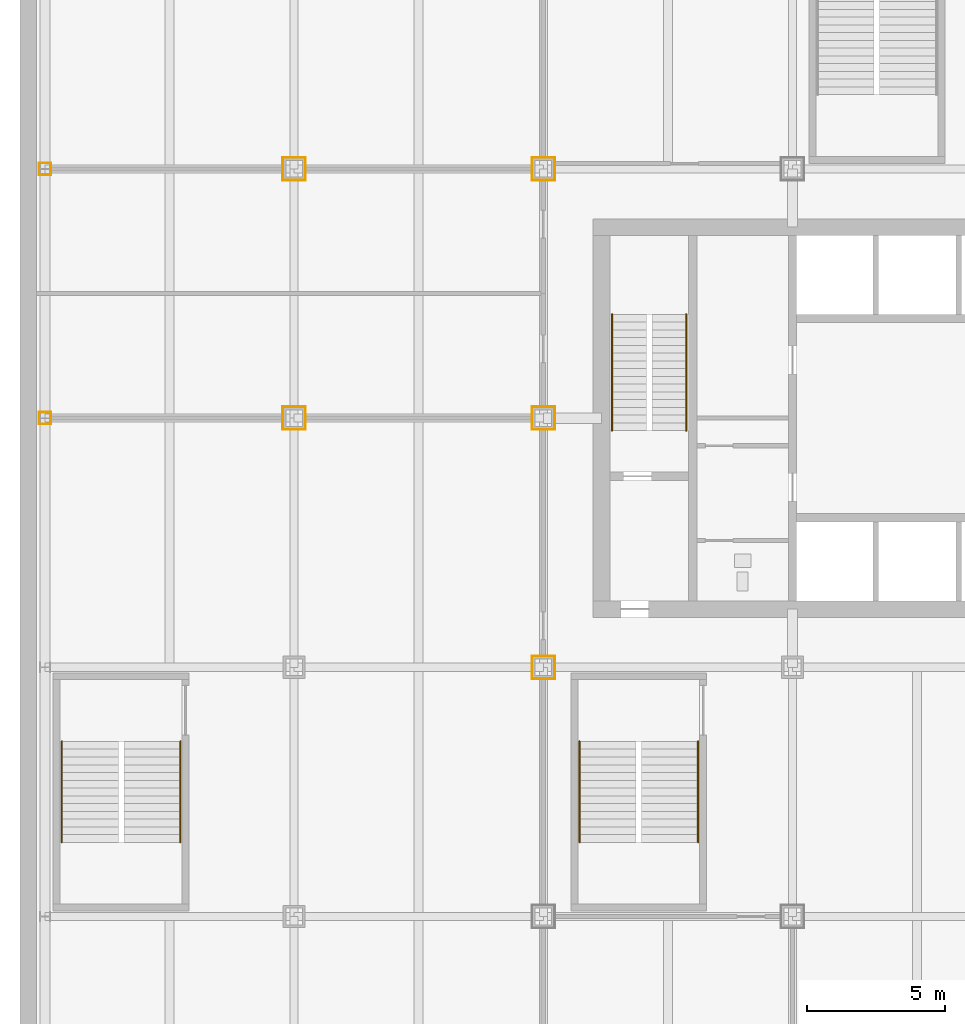
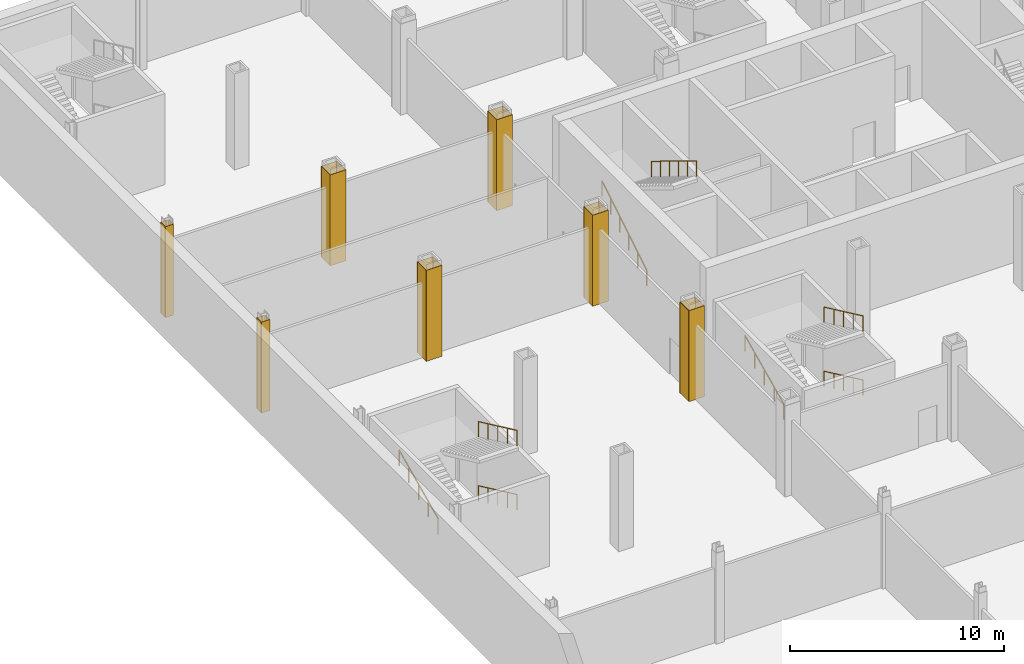
# One storey, part 19 of 27: 28 coverings, 8 railings.
"""IFC4 building model written with IfcOpenShell, lengths in metres."""

from ifc_helpers import new_model, si_unit, direction, frame, origin, origin_2d, place, context, subcontext, project, spatial, rectangle, circle, extrude, material, layer, layer_set, type_object, element, save


model = new_model("IFC4")

# Units and contexts
model_context = context("Model", 3, precision=1e-05, world=origin(), true_north=direction((0.0, 1.0)))
body_context = subcontext(model_context, "Body", "Model", "MODEL_VIEW")
ifc_project = project(units=[si_unit("LENGTHUNIT", "METRE"), si_unit("AREAUNIT", "SQUARE_METRE"), si_unit("VOLUMEUNIT", "CUBIC_METRE"), si_unit("PLANEANGLEUNIT", "RADIAN"), si_unit("MASSUNIT", "GRAM", prefix="KILO")], contexts=[model_context])

# Site, building, storey
site_placement = place(None, origin())
site = spatial("IfcSite", under=ifc_project, at=site_placement, CompositionType="ELEMENT")
building_placement = place(site_placement, origin())
building = spatial("IfcBuilding", under=site, at=building_placement, Name="Loomwork Tower", CompositionType="ELEMENT")
storey_placement = place(building_placement, frame((0.0, 0.0, -5.5)))
storey = spatial("IfcBuildingStorey", under=building, at=storey_placement, Name="B1", CompositionType="ELEMENT", Elevation=-5.5)

# Coverings
ifc_material_1 = material(Name="Two-hour fire-rated gypsum board casing")
ifc_layer = layer(ifc_material_1, 0.02490234375)
ifc_layer_set = layer_set([ifc_layer], Name="Column fire casing 25")
covering_type = type_object("IfcCoveringType", Name="Column fire casing 25", PredefinedType="CLADDING", material=ifc_layer_set)
for number, where, z_axis, x_axis, name in (
    (1, (-9.0, 18.213134765625, 0.0), (0.0, 0.0, 1.0), (1.0, 0.0, 0.0), "Column casing -9 18 B1"),
    (2, (-9.0, 17.786865234375, 0.0), (0.0, 0.0, 1.0), (1.0, 0.0, 0.0), "Column casing -9 18 B1"),
):
    element("IfcCovering", number, at=place(storey_placement, frame(where, z_axis=z_axis, x_axis=x_axis)), inside=storey, type_object=covering_type, Name=name, PredefinedType="CLADDING", context=body_context, shape_type="SweptSolid", body=[
        extrude(rectangle(XDim=0.44873046875, YDim=0.02490234375, at=origin_2d()), origin(), (0.0, 0.0, 1.0), 5.199951171875),
    ])
for number, where, z_axis, x_axis, name in (
    (3, (-8.7880859375, 18.0, 0.0), (0.0, 0.0, 1.0), (1.0, 0.0, 0.0), "Column casing -9 18 B1"),
    (4, (-9.2119140625, 18.0, 0.0), (0.0, 0.0, 1.0), (1.0, 0.0, 0.0), "Column casing -9 18 B1"),
):
    element("IfcCovering", number, at=place(storey_placement, frame(where, z_axis=z_axis, x_axis=x_axis)), inside=storey, type_object=covering_type, Name=name, PredefinedType="CLADDING", context=body_context, shape_type="SweptSolid", body=[
        extrude(rectangle(XDim=0.02490234375, YDim=0.4013671875, at=origin_2d()), origin(), (0.0, 0.0, 1.0), 5.199951171875),
    ])
for number, where, z_axis, x_axis, name in (
    (5, (-9.0, 27.213134765625, 0.0), (0.0, 0.0, 1.0), (1.0, 0.0, 0.0), "Column casing -9 27 B1"),
    (6, (-9.0, 26.786865234375, 0.0), (0.0, 0.0, 1.0), (1.0, 0.0, 0.0), "Column casing -9 27 B1"),
):
    element("IfcCovering", number, at=place(storey_placement, frame(where, z_axis=z_axis, x_axis=x_axis)), inside=storey, type_object=covering_type, Name=name, PredefinedType="CLADDING", context=body_context, shape_type="SweptSolid", body=[
        extrude(rectangle(XDim=0.44873046875, YDim=0.02490234375, at=origin_2d()), origin(), (0.0, 0.0, 1.0), 5.199951171875),
    ])
for number, where, z_axis, x_axis, name in (
    (7, (-8.7880859375, 27.0, 0.0), (0.0, 0.0, 1.0), (1.0, 0.0, 0.0), "Column casing -9 27 B1"),
    (8, (-9.2119140625, 27.0, 0.0), (0.0, 0.0, 1.0), (1.0, 0.0, 0.0), "Column casing -9 27 B1"),
):
    element("IfcCovering", number, at=place(storey_placement, frame(where, z_axis=z_axis, x_axis=x_axis)), inside=storey, type_object=covering_type, Name=name, PredefinedType="CLADDING", context=body_context, shape_type="SweptSolid", body=[
        extrude(rectangle(XDim=0.02490234375, YDim=0.4013671875, at=origin_2d()), origin(), (0.0, 0.0, 1.0), 5.199951171875),
    ])
for number, where, z_axis, x_axis, name in (
    (9, (0.0, 18.41259765625, 0.0), (0.0, 0.0, 1.0), (1.0, 0.0, 0.0), "Column casing 0 18 B1"),
    (10, (0.0, 17.58740234375, 0.0), (0.0, 0.0, 1.0), (1.0, 0.0, 0.0), "Column casing 0 18 B1"),
):
    element("IfcCovering", number, at=place(storey_placement, frame(where, z_axis=z_axis, x_axis=x_axis)), inside=storey, type_object=covering_type, Name=name, PredefinedType="CLADDING", context=body_context, shape_type="SweptSolid", body=[
        extrude(rectangle(XDim=0.85009765625, YDim=0.02490234375, at=origin_2d()), origin(), (0.0, 0.0, 1.0), 5.199951171875),
    ])
for number, where, z_axis, x_axis, name in (
    (11, (0.41259765625, 18.0, 0.0), (0.0, 0.0, 1.0), (1.0, 0.0, 0.0), "Column casing 0 18 B1"),
    (12, (-0.41259765625, 18.0, 0.0), (0.0, 0.0, 1.0), (1.0, 0.0, 0.0), "Column casing 0 18 B1"),
):
    element("IfcCovering", number, at=place(storey_placement, frame(where, z_axis=z_axis, x_axis=x_axis)), inside=storey, type_object=covering_type, Name=name, PredefinedType="CLADDING", context=body_context, shape_type="SweptSolid", body=[
        extrude(rectangle(XDim=0.02490234375, YDim=0.800048828125, at=origin_2d()), origin(), (0.0, 0.0, 1.0), 5.199951171875),
    ])
for number, where, z_axis, x_axis, name in (
    (13, (0.0, 27.41259765625, 0.0), (0.0, 0.0, 1.0), (1.0, 0.0, 0.0), "Column casing 0 27 B1"),
    (14, (0.0, 26.58740234375, 0.0), (0.0, 0.0, 1.0), (1.0, 0.0, 0.0), "Column casing 0 27 B1"),
):
    element("IfcCovering", number, at=place(storey_placement, frame(where, z_axis=z_axis, x_axis=x_axis)), inside=storey, type_object=covering_type, Name=name, PredefinedType="CLADDING", context=body_context, shape_type="SweptSolid", body=[
        extrude(rectangle(XDim=0.85009765625, YDim=0.02490234375, at=origin_2d()), origin(), (0.0, 0.0, 1.0), 5.199951171875),
    ])
for number, where, z_axis, x_axis, name in (
    (15, (0.41259765625, 27.0, 0.0), (0.0, 0.0, 1.0), (1.0, 0.0, 0.0), "Column casing 0 27 B1"),
    (16, (-0.41259765625, 27.0, 0.0), (0.0, 0.0, 1.0), (1.0, 0.0, 0.0), "Column casing 0 27 B1"),
):
    element("IfcCovering", number, at=place(storey_placement, frame(where, z_axis=z_axis, x_axis=x_axis)), inside=storey, type_object=covering_type, Name=name, PredefinedType="CLADDING", context=body_context, shape_type="SweptSolid", body=[
        extrude(rectangle(XDim=0.02490234375, YDim=0.800048828125, at=origin_2d()), origin(), (0.0, 0.0, 1.0), 5.199951171875),
    ])
for number, where, z_axis, x_axis, name in (
    (17, (9.0, 9.41259765625, 0.0), (0.0, 0.0, 1.0), (1.0, 0.0, 0.0), "Column casing 9 9 B1"),
    (18, (9.0, 8.58740234375, 0.0), (0.0, 0.0, 1.0), (1.0, 0.0, 0.0), "Column casing 9 9 B1"),
):
    element("IfcCovering", number, at=place(storey_placement, frame(where, z_axis=z_axis, x_axis=x_axis)), inside=storey, type_object=covering_type, Name=name, PredefinedType="CLADDING", context=body_context, shape_type="SweptSolid", body=[
        extrude(rectangle(XDim=0.85009765625, YDim=0.02490234375, at=origin_2d()), origin(), (0.0, 0.0, 1.0), 5.199951171875),
    ])
for number, where, z_axis, x_axis, name in (
    (19, (9.41259765625, 9.0, 0.0), (0.0, 0.0, 1.0), (1.0, 0.0, 0.0), "Column casing 9 9 B1"),
    (20, (8.58740234375, 9.0, 0.0), (0.0, 0.0, 1.0), (1.0, 0.0, 0.0), "Column casing 9 9 B1"),
):
    element("IfcCovering", number, at=place(storey_placement, frame(where, z_axis=z_axis, x_axis=x_axis)), inside=storey, type_object=covering_type, Name=name, PredefinedType="CLADDING", context=body_context, shape_type="SweptSolid", body=[
        extrude(rectangle(XDim=0.02490234375, YDim=0.800048828125, at=origin_2d()), origin(), (0.0, 0.0, 1.0), 5.199951171875),
    ])
for number, where, z_axis, x_axis, name in (
    (21, (9.0, 18.41259765625, 0.0), (0.0, 0.0, 1.0), (1.0, 0.0, 0.0), "Column casing 9 18 B1"),
    (22, (9.0, 17.58740234375, 0.0), (0.0, 0.0, 1.0), (1.0, 0.0, 0.0), "Column casing 9 18 B1"),
):
    element("IfcCovering", number, at=place(storey_placement, frame(where, z_axis=z_axis, x_axis=x_axis)), inside=storey, type_object=covering_type, Name=name, PredefinedType="CLADDING", context=body_context, shape_type="SweptSolid", body=[
        extrude(rectangle(XDim=0.85009765625, YDim=0.02490234375, at=origin_2d()), origin(), (0.0, 0.0, 1.0), 5.199951171875),
    ])
for number, where, z_axis, x_axis, name in (
    (23, (9.41259765625, 18.0, 0.0), (0.0, 0.0, 1.0), (1.0, 0.0, 0.0), "Column casing 9 18 B1"),
    (24, (8.58740234375, 18.0, 0.0), (0.0, 0.0, 1.0), (1.0, 0.0, 0.0), "Column casing 9 18 B1"),
):
    element("IfcCovering", number, at=place(storey_placement, frame(where, z_axis=z_axis, x_axis=x_axis)), inside=storey, type_object=covering_type, Name=name, PredefinedType="CLADDING", context=body_context, shape_type="SweptSolid", body=[
        extrude(rectangle(XDim=0.02490234375, YDim=0.800048828125, at=origin_2d()), origin(), (0.0, 0.0, 1.0), 5.199951171875),
    ])
for number, where, z_axis, x_axis, name in (
    (25, (9.0, 27.41259765625, 0.0), (0.0, 0.0, 1.0), (1.0, 0.0, 0.0), "Column casing 9 27 B1"),
    (26, (9.0, 26.58740234375, 0.0), (0.0, 0.0, 1.0), (1.0, 0.0, 0.0), "Column casing 9 27 B1"),
):
    element("IfcCovering", number, at=place(storey_placement, frame(where, z_axis=z_axis, x_axis=x_axis)), inside=storey, type_object=covering_type, Name=name, PredefinedType="CLADDING", context=body_context, shape_type="SweptSolid", body=[
        extrude(rectangle(XDim=0.85009765625, YDim=0.02490234375, at=origin_2d()), origin(), (0.0, 0.0, 1.0), 5.199951171875),
    ])
for number, where, z_axis, x_axis, name in (
    (27, (9.41259765625, 27.0, 0.0), (0.0, 0.0, 1.0), (1.0, 0.0, 0.0), "Column casing 9 27 B1"),
    (28, (8.58740234375, 27.0, 0.0), (0.0, 0.0, 1.0), (1.0, 0.0, 0.0), "Column casing 9 27 B1"),
):
    element("IfcCovering", number, at=place(storey_placement, frame(where, z_axis=z_axis, x_axis=x_axis)), inside=storey, type_object=covering_type, Name=name, PredefinedType="CLADDING", context=body_context, shape_type="SweptSolid", body=[
        extrude(rectangle(XDim=0.02490234375, YDim=0.800048828125, at=origin_2d()), origin(), (0.0, 0.0, 1.0), 5.199951171875),
    ])

# Railings
ifc_material_2 = material(Name="Stainless steel handrail", Category="steel")
railing_type = type_object("IfcRailingType", Name="Handrail 900", PredefinedType="HANDRAIL", material=ifc_material_2)
railing_1_placement = place(storey_placement, frame((11.485107421875, 17.550048828125, 0.171875)))
element("IfcRailing", 29, at=railing_1_placement, inside=storey, type_object=railing_type, Name="Stair A handrail flight 1 B1", PredefinedType="HANDRAIL", context=body_context, shape_type="SweptSolid", body=[
    extrude(circle(Radius=0.02392578125, at=origin_2d()), frame((0.0, 0.0, 0.8759765625), z_axis=(0.0, 0.852242915053, 0.523146264196), x_axis=(-1.0, 0.0, 0.0)), (0.0, 0.0, 1.0), 4.92822265625),
    extrude(circle(Radius=0.02099609375, at=origin_2d()), origin(), (0.0, 0.0, 1.0), 0.851806640625),
    extrude(circle(Radius=0.02099609375, at=origin_2d()), frame((0.0, 0.840087890625, 0.515625)), (0.0, 0.0, 1.0), 0.851806640625),
    extrude(circle(Radius=0.02099609375, at=origin_2d()), frame((0.0, 1.679931640625, 1.03125)), (0.0, 0.0, 1.0), 0.851806640625),
    extrude(circle(Radius=0.02099609375, at=origin_2d()), frame((0.0, 2.52001953125, 1.546875)), (0.0, 0.0, 1.0), 0.851806640625),
    extrude(circle(Radius=0.02099609375, at=origin_2d()), frame((0.0, 3.35986328125, 2.0625)), (0.0, 0.0, 1.0), 0.851806640625),
    extrude(circle(Radius=0.02099609375, at=origin_2d()), frame((0.0, 4.199951171875, 2.578125)), (0.0, 0.0, 1.0), 0.851806640625),
])
railing_2_placement = place(storey_placement, frame((14.1650390625, 21.75, 2.921875)))
element("IfcRailing", 30, at=railing_2_placement, inside=storey, type_object=railing_type, Name="Stair A handrail flight 2 B1", PredefinedType="HANDRAIL", context=body_context, shape_type="SweptSolid", body=[
    extrude(circle(Radius=0.02392578125, at=origin_2d()), frame((0.0, 0.0, 0.8759765625), z_axis=(0.0, -0.852242915053, 0.523146264196), x_axis=(1.0, 0.0, 0.0)), (0.0, 0.0, 1.0), 4.92822265625),
    extrude(circle(Radius=0.02099609375, at=origin_2d()), origin(), (0.0, 0.0, 1.0), 0.851806640625),
    extrude(circle(Radius=0.02099609375, at=origin_2d()), frame((0.0, -0.840087890625, 0.515625)), (0.0, 0.0, 1.0), 0.851806640625),
    extrude(circle(Radius=0.02099609375, at=origin_2d()), frame((0.0, -1.679931640625, 1.03125)), (0.0, 0.0, 1.0), 0.851806640625),
    extrude(circle(Radius=0.02099609375, at=origin_2d()), frame((0.0, -2.52001953125, 1.546875)), (0.0, 0.0, 1.0), 0.851806640625),
    extrude(circle(Radius=0.02099609375, at=origin_2d()), frame((0.0, -3.35986328125, 2.0625)), (0.0, 0.0, 1.0), 0.851806640625),
    extrude(circle(Radius=0.02099609375, at=origin_2d()), frame((0.0, -4.199951171875, 2.578125)), (0.0, 0.0, 1.0), 0.851806640625),
])
railing_3_placement = place(storey_placement, frame((-4.110107421875, 6.320068359375, 0.131103515625)))
element("IfcRailing", 31, at=railing_3_placement, inside=storey, type_object=railing_type, Name="Podium stair PS5 handrail flight 1 B1", PredefinedType="HANDRAIL", context=body_context, shape_type="SweptSolid", body=[
    extrude(circle(Radius=0.02392578125, at=origin_2d()), frame((0.0, 0.0, 0.8759765625), z_axis=(0.0, -0.905856922506, 0.423583800383), x_axis=(1.0, 0.0, 0.0)), (0.0, 0.0, 1.0), 4.0185546875),
    extrude(circle(Radius=0.02099609375, at=origin_2d()), origin(), (0.0, 0.0, 1.0), 0.851806640625),
    extrude(circle(Radius=0.02099609375, at=origin_2d()), frame((0.0, -0.91015625, 0.425537109375)), (0.0, 0.0, 1.0), 0.851806640625),
    extrude(circle(Radius=0.02099609375, at=origin_2d()), frame((0.0, -1.820068359375, 0.85107421875)), (0.0, 0.0, 1.0), 0.851806640625),
    extrude(circle(Radius=0.02099609375, at=origin_2d()), frame((0.0, -2.72998046875, 1.276611328125)), (0.0, 0.0, 1.0), 0.851806640625),
    extrude(circle(Radius=0.02099609375, at=origin_2d()), frame((0.0, -3.64013671875, 1.7021484375)), (0.0, 0.0, 1.0), 0.851806640625),
])
railing_4_placement = place(storey_placement, frame((-8.389892578125, 2.679931640625, 1.96435546875)))
element("IfcRailing", 32, at=railing_4_placement, inside=storey, type_object=railing_type, Name="Podium stair PS5 handrail flight 2 B1", PredefinedType="HANDRAIL", context=body_context, shape_type="SweptSolid", body=[
    extrude(circle(Radius=0.02392578125, at=origin_2d()), frame((0.0, 0.0, 0.8759765625), z_axis=(0.0, 0.905856922506, 0.423583800383), x_axis=(-1.0, 0.0, 0.0)), (0.0, 0.0, 1.0), 4.0185546875),
    extrude(circle(Radius=0.02099609375, at=origin_2d()), origin(), (0.0, 0.0, 1.0), 0.851806640625),
    extrude(circle(Radius=0.02099609375, at=origin_2d()), frame((0.0, 0.91015625, 0.425537109375)), (0.0, 0.0, 1.0), 0.851806640625),
    extrude(circle(Radius=0.02099609375, at=origin_2d()), frame((0.0, 1.820068359375, 0.85107421875)), (0.0, 0.0, 1.0), 0.851806640625),
    extrude(circle(Radius=0.02099609375, at=origin_2d()), frame((0.0, 2.72998046875, 1.276611328125)), (0.0, 0.0, 1.0), 0.851806640625),
    extrude(circle(Radius=0.02099609375, at=origin_2d()), frame((0.0, 3.64013671875, 1.7021484375)), (0.0, 0.0, 1.0), 0.851806640625),
])
railing_5_placement = place(storey_placement, frame((-4.110107421875, 6.320068359375, 3.797607421875)))
element("IfcRailing", 33, at=railing_5_placement, inside=storey, type_object=railing_type, Name="Podium stair PS5 handrail flight 3 B1", PredefinedType="HANDRAIL", context=body_context, shape_type="SweptSolid", body=[
    extrude(circle(Radius=0.02392578125, at=origin_2d()), frame((0.0, 0.0, 0.8759765625), z_axis=(0.0, -0.905833609661, 0.423633652593), x_axis=(1.0, 0.0, 0.0)), (0.0, 0.0, 1.0), 4.0185546875),
    extrude(circle(Radius=0.02099609375, at=origin_2d()), origin(), (0.0, 0.0, 1.0), 0.851806640625),
    extrude(circle(Radius=0.02099609375, at=origin_2d()), frame((0.0, -0.91015625, 0.425537109375)), (0.0, 0.0, 1.0), 0.851806640625),
    extrude(circle(Radius=0.02099609375, at=origin_2d()), frame((0.0, -1.820068359375, 0.85107421875)), (0.0, 0.0, 1.0), 0.851806640625),
    extrude(circle(Radius=0.02099609375, at=origin_2d()), frame((0.0, -2.72998046875, 1.27685546875)), (0.0, 0.0, 1.0), 0.851806640625),
    extrude(circle(Radius=0.02099609375, at=origin_2d()), frame((0.0, -3.64013671875, 1.702392578125)), (0.0, 0.0, 1.0), 0.851806640625),
])
railing_6_placement = place(storey_placement, frame((14.590087890625, 6.320068359375, 0.131103515625)))
element("IfcRailing", 34, at=railing_6_placement, inside=storey, type_object=railing_type, Name="Podium stair PS12 handrail flight 1 B1", PredefinedType="HANDRAIL", context=body_context, shape_type="SweptSolid", body=[
    extrude(circle(Radius=0.02392578125, at=origin_2d()), frame((0.0, 0.0, 0.8759765625), z_axis=(0.0, -0.905856922506, 0.423583800383), x_axis=(1.0, 0.0, 0.0)), (0.0, 0.0, 1.0), 4.0185546875),
    extrude(circle(Radius=0.02099609375, at=origin_2d()), origin(), (0.0, 0.0, 1.0), 0.851806640625),
    extrude(circle(Radius=0.02099609375, at=origin_2d()), frame((0.0, -0.91015625, 0.425537109375)), (0.0, 0.0, 1.0), 0.851806640625),
    extrude(circle(Radius=0.02099609375, at=origin_2d()), frame((0.0, -1.820068359375, 0.85107421875)), (0.0, 0.0, 1.0), 0.851806640625),
    extrude(circle(Radius=0.02099609375, at=origin_2d()), frame((0.0, -2.72998046875, 1.276611328125)), (0.0, 0.0, 1.0), 0.851806640625),
    extrude(circle(Radius=0.02099609375, at=origin_2d()), frame((0.0, -3.64013671875, 1.7021484375)), (0.0, 0.0, 1.0), 0.851806640625),
])
railing_7_placement = place(storey_placement, frame((10.31005859375, 2.679931640625, 1.96435546875)))
element("IfcRailing", 35, at=railing_7_placement, inside=storey, type_object=railing_type, Name="Podium stair PS12 handrail flight 2 B1", PredefinedType="HANDRAIL", context=body_context, shape_type="SweptSolid", body=[
    extrude(circle(Radius=0.02392578125, at=origin_2d()), frame((0.0, 0.0, 0.8759765625), z_axis=(0.0, 0.905856922506, 0.423583800383), x_axis=(-1.0, 0.0, 0.0)), (0.0, 0.0, 1.0), 4.0185546875),
    extrude(circle(Radius=0.02099609375, at=origin_2d()), origin(), (0.0, 0.0, 1.0), 0.851806640625),
    extrude(circle(Radius=0.02099609375, at=origin_2d()), frame((0.0, 0.91015625, 0.425537109375)), (0.0, 0.0, 1.0), 0.851806640625),
    extrude(circle(Radius=0.02099609375, at=origin_2d()), frame((0.0, 1.820068359375, 0.85107421875)), (0.0, 0.0, 1.0), 0.851806640625),
    extrude(circle(Radius=0.02099609375, at=origin_2d()), frame((0.0, 2.72998046875, 1.276611328125)), (0.0, 0.0, 1.0), 0.851806640625),
    extrude(circle(Radius=0.02099609375, at=origin_2d()), frame((0.0, 3.64013671875, 1.7021484375)), (0.0, 0.0, 1.0), 0.851806640625),
])
railing_8_placement = place(storey_placement, frame((14.590087890625, 6.320068359375, 3.797607421875)))
element("IfcRailing", 36, at=railing_8_placement, inside=storey, type_object=railing_type, Name="Podium stair PS12 handrail flight 3 B1", PredefinedType="HANDRAIL", context=body_context, shape_type="SweptSolid", body=[
    extrude(circle(Radius=0.02392578125, at=origin_2d()), frame((0.0, 0.0, 0.8759765625), z_axis=(0.0, -0.905833609661, 0.423633652593), x_axis=(1.0, 0.0, 0.0)), (0.0, 0.0, 1.0), 4.0185546875),
    extrude(circle(Radius=0.02099609375, at=origin_2d()), origin(), (0.0, 0.0, 1.0), 0.851806640625),
    extrude(circle(Radius=0.02099609375, at=origin_2d()), frame((0.0, -0.91015625, 0.425537109375)), (0.0, 0.0, 1.0), 0.851806640625),
    extrude(circle(Radius=0.02099609375, at=origin_2d()), frame((0.0, -1.820068359375, 0.85107421875)), (0.0, 0.0, 1.0), 0.851806640625),
    extrude(circle(Radius=0.02099609375, at=origin_2d()), frame((0.0, -2.72998046875, 1.27685546875)), (0.0, 0.0, 1.0), 0.851806640625),
    extrude(circle(Radius=0.02099609375, at=origin_2d()), frame((0.0, -3.64013671875, 1.702392578125)), (0.0, 0.0, 1.0), 0.851806640625),
])

save(model, "model.ifc")
